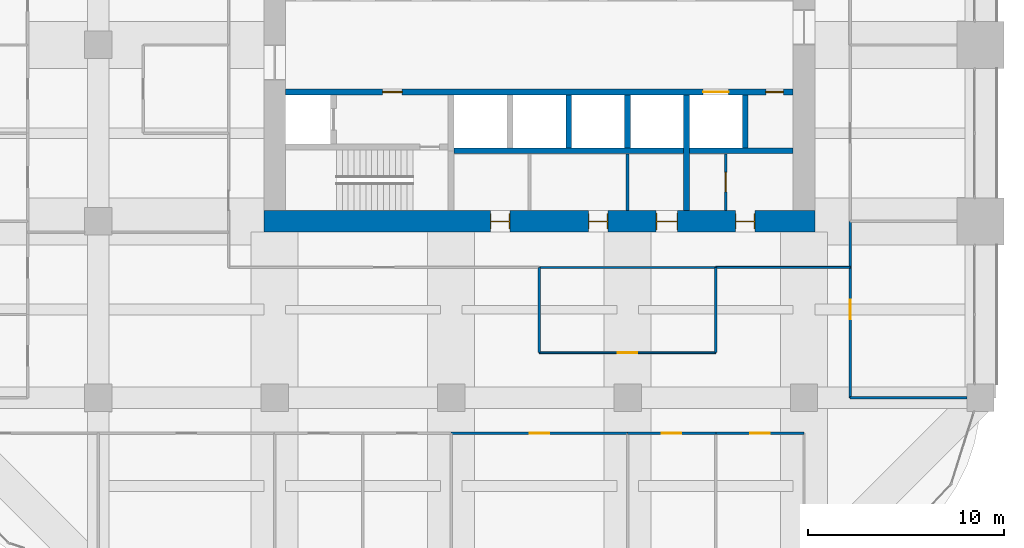
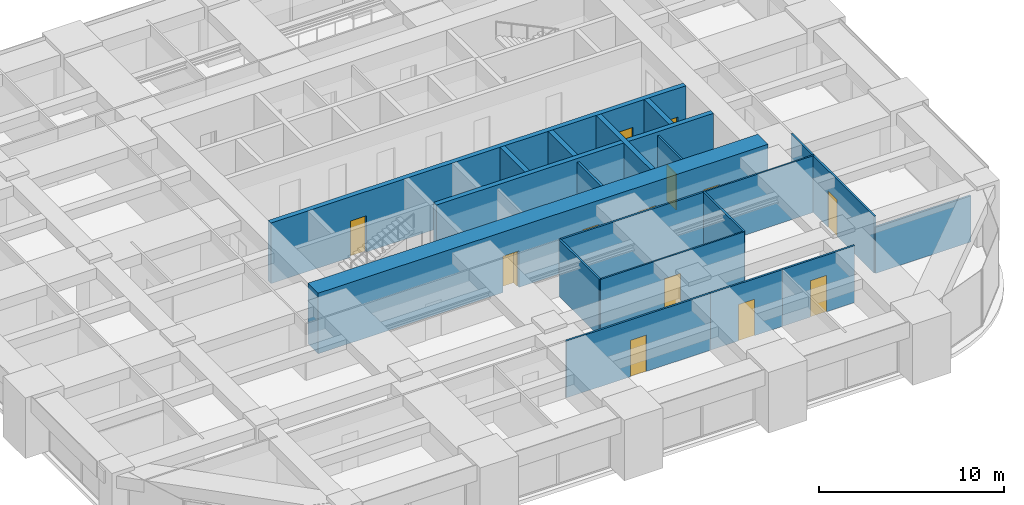
# One storey, part 31 of 35: 19 walls, 13 doors, 13 openings.
"""IFC4 building model written with IfcOpenShell, lengths in metres."""

from ifc_helpers import new_model, si_unit, direction, frame, frame_2d, origin, place, context, subcontext, project, spatial, rectangle, extrude, material, layer, layer_set, type_object, element, fill, save


model = new_model("IFC4")

# Units and contexts
model_context = context("Model", 3, precision=1e-05, world=origin(), true_north=direction((0.0, 1.0)))
body_context = subcontext(model_context, "Body", "Model", "MODEL_VIEW")
ifc_project = project(units=[si_unit("LENGTHUNIT", "METRE"), si_unit("AREAUNIT", "SQUARE_METRE"), si_unit("VOLUMEUNIT", "CUBIC_METRE"), si_unit("PLANEANGLEUNIT", "RADIAN"), si_unit("MASSUNIT", "GRAM", prefix="KILO")], contexts=[model_context])

# Site, building, storey
site_placement = place(None, origin())
site = spatial("IfcSite", under=ifc_project, at=site_placement, CompositionType="ELEMENT")
building_placement = place(site_placement, origin())
building = spatial("IfcBuilding", under=site, at=building_placement, Name="Zorevar Civic Tower", CompositionType="ELEMENT")
storey_placement = place(building_placement, frame((0.0, 0.0, 218.199951171875)))
storey = spatial("IfcBuildingStorey", under=building, at=storey_placement, Name="L53", CompositionType="ELEMENT", Elevation=218.199951171875)

# Wall, openings, doors
ifc_material_1 = material(Name="Concrete C50/60", Category="concrete")
ifc_layer_1 = layer(ifc_material_1, 1.10009765625)
ifc_layer_set_1 = layer_set([ifc_layer_1], Name="Core wall 1100")
wall_type_1 = type_object("IfcWallType", Name="Core wall 1100", PredefinedType="SHEAR", material=ifc_layer_set_1)
wall_1_placement = place(storey_placement, frame((17.449951171875, 18.0, 0.0), z_axis=(0.0, 0.0, 1.0), x_axis=(1.0, 0.0, 0.0)))
wall_1 = element("IfcWall", 1, at=wall_1_placement, inside=storey, type_object=wall_type_1, Name="Core wall S L53", PredefinedType="SHEAR", context=body_context, shape_type="SweptSolid", body=[
    extrude(rectangle(XDim=28.10009765625, YDim=1.10009765625, at=frame_2d((14.050048828125, 0.0))), origin(), (0.0, 0.0, 1.0), 4.0),
])
opening_1_placement = place(wall_1_placement, frame((11.550048828125, 0.0, 0.0)))
opening_1 = element("IfcOpeningElement", 2, at=opening_1_placement, cuts=wall_1, Name="Opening L53.03", PredefinedType="OPENING", context=body_context, shape_type="SweptSolid", body=[
    extrude(rectangle(XDim=1.0, YDim=2.39990234375, at=frame_2d((0.5, 1.199951171875))), frame((0.0, 0.56005859375, 0.0), z_axis=(0.0, -1.0, 0.0), x_axis=(1.0, 0.0, 0.0)), (0.0, 0.0, 1.0), 1.1201171875),
])
opening_2_placement = place(wall_1_placement, frame((16.550048828125, 0.0, 0.0)))
opening_2 = element("IfcOpeningElement", 3, at=opening_2_placement, cuts=wall_1, Name="Opening L53.04", PredefinedType="OPENING", context=body_context, shape_type="SweptSolid", body=[
    extrude(rectangle(XDim=1.0, YDim=2.39990234375, at=frame_2d((0.5, 1.199951171875))), frame((0.0, 0.56005859375, 0.0), z_axis=(0.0, -1.0, 0.0), x_axis=(1.0, 0.0, 0.0)), (0.0, 0.0, 1.0), 1.1201171875),
])
opening_3_placement = place(wall_1_placement, frame((20.0, 0.0, 0.0)))
opening_3 = element("IfcOpeningElement", 4, at=opening_3_placement, cuts=wall_1, Name="Opening L53.05", PredefinedType="OPENING", context=body_context, shape_type="SweptSolid", body=[
    extrude(rectangle(XDim=1.10009765625, YDim=2.39990234375, at=frame_2d((0.550048828125, 1.199951171875))), frame((0.0, 0.56005859375, 0.0), z_axis=(0.0, -1.0, 0.0), x_axis=(1.0, 0.0, 0.0)), (0.0, 0.0, 1.0), 1.1201171875),
])
opening_4_placement = place(wall_1_placement, frame((24.050048828125, 0.0, 0.0)))
opening_4 = element("IfcOpeningElement", 5, at=opening_4_placement, cuts=wall_1, Name="Opening L53.06", PredefinedType="OPENING", context=body_context, shape_type="SweptSolid", body=[
    extrude(rectangle(XDim=1.0, YDim=2.39990234375, at=frame_2d((0.5, 1.199951171875))), frame((0.0, 0.56005859375, 0.0), z_axis=(0.0, -1.0, 0.0), x_axis=(1.0, 0.0, 0.0)), (0.0, 0.0, 1.0), 1.1201171875),
])
ifc_material_2 = material(Name="Timber door set", Category="wood")
door_type_1 = type_object("IfcDoorType", Name="Door D1 1000x2400", OperationType="SINGLE_SWING_LEFT", PredefinedType="DOOR", material=ifc_material_2)
door_1_placement = place(opening_1_placement, origin())
door_1 = element("IfcDoor", 6, at=door_1_placement, inside=storey, type_object=door_type_1, Name="Door L53 02", OperationType="SINGLE_SWING_RIGHT", OverallHeight=2.39990234375, OverallWidth=1.0, PredefinedType="DOOR", context=body_context, shape_type="SweptSolid", body=[
    extrude(rectangle(XDim=1.0, YDim=2.39990234375, at=frame_2d((0.5, 1.199951171875))), frame((0.0, 0.02490234375, 0.0), z_axis=(0.0, -1.0, 0.0), x_axis=(1.0, 0.0, 0.0)), (0.0, 0.0, 1.0), 0.050048828125),
    extrude(rectangle(XDim=0.04, YDim=2.39990234375, at=frame_2d((0.02001953125, 1.199951171875))), frame((0.0, 0.39990234375, 0.0), z_axis=(0.0, -1.0, 0.0), x_axis=(1.0, 0.0, 0.0)), (0.0, 0.0, 1.0), 0.800048828125),
    extrude(rectangle(XDim=0.04, YDim=2.39990234375, at=frame_2d((0.97998046875, 1.199951171875))), frame((0.0, 0.39990234375, 0.0), z_axis=(0.0, -1.0, 0.0), x_axis=(1.0, 0.0, 0.0)), (0.0, 0.0, 1.0), 0.800048828125),
    extrude(rectangle(XDim=1.0, YDim=0.04, at=frame_2d((0.5, 2.3798828125))), frame((0.0, 0.39990234375, 0.0), z_axis=(0.0, -1.0, 0.0), x_axis=(1.0, 0.0, 0.0)), (0.0, 0.0, 1.0), 0.800048828125),
])
fill(opening_1, door_1)
door_2_placement = place(opening_2_placement, origin())
door_2 = element("IfcDoor", 7, at=door_2_placement, inside=storey, type_object=door_type_1, Name="Door L53 03", OperationType="SINGLE_SWING_LEFT", OverallHeight=2.39990234375, OverallWidth=1.0, PredefinedType="DOOR", context=body_context, shape_type="SweptSolid", body=[
    extrude(rectangle(XDim=1.0, YDim=2.39990234375, at=frame_2d((0.5, 1.199951171875))), frame((0.0, 0.02490234375, 0.0), z_axis=(0.0, -1.0, 0.0), x_axis=(1.0, 0.0, 0.0)), (0.0, 0.0, 1.0), 0.050048828125),
    extrude(rectangle(XDim=0.04, YDim=2.39990234375, at=frame_2d((0.02001953125, 1.199951171875))), frame((0.0, 0.39990234375, 0.0), z_axis=(0.0, -1.0, 0.0), x_axis=(1.0, 0.0, 0.0)), (0.0, 0.0, 1.0), 0.800048828125),
    extrude(rectangle(XDim=0.04, YDim=2.39990234375, at=frame_2d((0.97998046875, 1.199951171875))), frame((0.0, 0.39990234375, 0.0), z_axis=(0.0, -1.0, 0.0), x_axis=(1.0, 0.0, 0.0)), (0.0, 0.0, 1.0), 0.800048828125),
    extrude(rectangle(XDim=1.0, YDim=0.04, at=frame_2d((0.5, 2.3798828125))), frame((0.0, 0.39990234375, 0.0), z_axis=(0.0, -1.0, 0.0), x_axis=(1.0, 0.0, 0.0)), (0.0, 0.0, 1.0), 0.800048828125),
])
fill(opening_2, door_2)
door_3_placement = place(opening_4_placement, origin())
door_3 = element("IfcDoor", 8, at=door_3_placement, inside=storey, type_object=door_type_1, Name="Door L53 05", OperationType="SINGLE_SWING_LEFT", OverallHeight=2.39990234375, OverallWidth=1.0, PredefinedType="DOOR", context=body_context, shape_type="SweptSolid", body=[
    extrude(rectangle(XDim=1.0, YDim=2.39990234375, at=frame_2d((0.5, 1.199951171875))), frame((0.0, 0.02490234375, 0.0), z_axis=(0.0, -1.0, 0.0), x_axis=(1.0, 0.0, 0.0)), (0.0, 0.0, 1.0), 0.050048828125),
    extrude(rectangle(XDim=0.04, YDim=2.39990234375, at=frame_2d((0.02001953125, 1.199951171875))), frame((0.0, 0.39990234375, 0.0), z_axis=(0.0, -1.0, 0.0), x_axis=(1.0, 0.0, 0.0)), (0.0, 0.0, 1.0), 0.800048828125),
    extrude(rectangle(XDim=0.04, YDim=2.39990234375, at=frame_2d((0.97998046875, 1.199951171875))), frame((0.0, 0.39990234375, 0.0), z_axis=(0.0, -1.0, 0.0), x_axis=(1.0, 0.0, 0.0)), (0.0, 0.0, 1.0), 0.800048828125),
    extrude(rectangle(XDim=1.0, YDim=0.04, at=frame_2d((0.5, 2.3798828125))), frame((0.0, 0.39990234375, 0.0), z_axis=(0.0, -1.0, 0.0), x_axis=(1.0, 0.0, 0.0)), (0.0, 0.0, 1.0), 0.800048828125),
])
fill(opening_4, door_3)
ifc_material_3 = material(Name="Timber door set", Category="wood")
door_type_2 = type_object("IfcDoorType", Name="Door D5 1100x2400", OperationType="SINGLE_SWING_LEFT", PredefinedType="DOOR", material=ifc_material_3)
door_4_placement = place(opening_3_placement, origin())
door_4 = element("IfcDoor", 9, at=door_4_placement, inside=storey, type_object=door_type_2, Name="Door L53 04", OperationType="SINGLE_SWING_LEFT", OverallHeight=2.39990234375, OverallWidth=1.10009765625, PredefinedType="DOOR", context=body_context, shape_type="SweptSolid", body=[
    extrude(rectangle(XDim=1.10009765625, YDim=2.39990234375, at=frame_2d((0.550048828125, 1.199951171875))), frame((0.0, 0.02490234375, 0.0), z_axis=(0.0, -1.0, 0.0), x_axis=(1.0, 0.0, 0.0)), (0.0, 0.0, 1.0), 0.050048828125),
    extrude(rectangle(XDim=0.04, YDim=2.39990234375, at=frame_2d((0.02001953125, 1.199951171875))), frame((0.0, 0.43994140625, 0.0), z_axis=(0.0, -1.0, 0.0), x_axis=(1.0, 0.0, 0.0)), (0.0, 0.0, 1.0), 0.880126953125),
    extrude(rectangle(XDim=0.04, YDim=2.39990234375, at=frame_2d((1.080078125, 1.199951171875))), frame((0.0, 0.43994140625, 0.0), z_axis=(0.0, -1.0, 0.0), x_axis=(1.0, 0.0, 0.0)), (0.0, 0.0, 1.0), 0.880126953125),
    extrude(rectangle(XDim=1.10009765625, YDim=0.04, at=frame_2d((0.550048828125, 2.3798828125))), frame((0.0, 0.43994140625, 0.0), z_axis=(0.0, -1.0, 0.0), x_axis=(1.0, 0.0, 0.0)), (0.0, 0.0, 1.0), 0.880126953125),
])
fill(opening_3, door_4)

# Wall, opening, door
ifc_material_4 = material(Name="Laminated glass in black aluminium frame", Category="aluminium")
ifc_layer_2 = layer(ifc_material_4, 0.10009765625)
ifc_layer_set_2 = layer_set([ifc_layer_2], Name="Glazed partition 100")
wall_type_2 = type_object("IfcWallType", Name="Glazed partition 100", PredefinedType="PARTITIONING", material=ifc_layer_set_2)
wall_2_placement = place(storey_placement, frame((31.5, 11.300048828125, 0.0), z_axis=(0.0, 0.0, 1.0), x_axis=(1.0, 0.0, 0.0)))
wall_2 = element("IfcWall", 10, at=wall_2_placement, inside=storey, type_object=wall_type_2, Name="Glazed partition 100 L53", PredefinedType="PARTITIONING", context=body_context, shape_type="SweptSolid", body=[
    extrude(rectangle(XDim=9.0, YDim=0.10009765625, at=frame_2d((4.5, 0.0))), origin(), (0.0, 0.0, 1.0), 3.75),
])
opening_5_placement = place(wall_2_placement, frame((4.0, 0.0, 0.0)))
opening_5 = element("IfcOpeningElement", 11, at=opening_5_placement, cuts=wall_2, Name="Opening L53.24", PredefinedType="OPENING", context=body_context, shape_type="SweptSolid", body=[
    extrude(rectangle(XDim=1.0, YDim=2.39990234375, at=frame_2d((0.5, 1.199951171875))), frame((0.0, 0.06005859375, 0.0), z_axis=(0.0, -1.0, 0.0), x_axis=(1.0, 0.0, 0.0)), (0.0, 0.0, 1.0), 0.1201171875),
])
ifc_material_5 = material(Name="Timber door set", Category="wood")
door_type_3 = type_object("IfcDoorType", Name="Glazed door GD1 1000x2400", OperationType="SINGLE_SWING_LEFT", PredefinedType="DOOR", material=ifc_material_5)
door_5_placement = place(opening_5_placement, origin())
door_5 = element("IfcDoor", 12, at=door_5_placement, inside=storey, type_object=door_type_3, Name="Door L53 D1", OperationType="SINGLE_SWING_RIGHT", OverallHeight=2.39990234375, OverallWidth=1.0, PredefinedType="DOOR", context=body_context, shape_type="SweptSolid", body=[
    extrude(rectangle(XDim=1.0, YDim=2.39990234375, at=frame_2d((0.5, 1.199951171875))), frame((0.0, 0.02001953125, 0.0), z_axis=(0.0, -1.0, 0.0), x_axis=(1.0, 0.0, 0.0)), (0.0, 0.0, 1.0), 0.0400390625),
])
fill(opening_5, door_5)

# Wall
wall_3_placement = place(storey_placement, frame((40.5, 15.64990234375, 0.0), z_axis=(0.0, 0.0, 1.0), x_axis=(1.0, 0.0, 0.0)))
element("IfcWall", 13, at=wall_3_placement, inside=storey, type_object=wall_type_2, Name="Glazed partition 100 L53", PredefinedType="PARTITIONING", context=body_context, shape_type="SweptSolid", body=[
    extrude(rectangle(XDim=6.85009765625, YDim=0.10009765625, at=frame_2d((3.425048828125, 0.0))), origin(), (0.0, 0.0, 1.0), 3.75),
])

# Wall, openings, doors
ifc_material_6 = material(Name="Concrete C40/50", Category="concrete")
ifc_layer_3 = layer(ifc_material_6, 0.300048828125)
ifc_layer_set_3 = layer_set([ifc_layer_3], Name="Inner core wall 300")
wall_type_3 = type_object("IfcWallType", Name="Inner core wall 300", PredefinedType="SHEAR", material=ifc_layer_set_3)
wall_4_placement = place(storey_placement, frame((18.550048828125, 24.60009765625, 0.0), z_axis=(0.0, 0.0, 1.0), x_axis=(1.0, 0.0, 0.0)))
wall_4 = element("IfcWall", 14, at=wall_4_placement, inside=storey, type_object=wall_type_3, Name="Inner core wall S03 L53", PredefinedType="SHEAR", context=body_context, shape_type="SweptSolid", body=[
    extrude(rectangle(XDim=25.89990234375, YDim=0.300048828125, at=frame_2d((12.949951171875, 0.0))), origin(), (0.0, 0.0, 1.0), 4.0),
])
opening_6_placement = place(wall_4_placement, frame((4.949951171875, 0.0, 0.0)))
opening_6 = element("IfcOpeningElement", 15, at=opening_6_placement, cuts=wall_4, Name="Opening L53.13", PredefinedType="OPENING", context=body_context, shape_type="SweptSolid", body=[
    extrude(rectangle(XDim=1.0, YDim=2.39990234375, at=frame_2d((0.5, 1.199951171875))), frame((0.0, 0.159912109375, 0.0), z_axis=(0.0, -1.0, 0.0), x_axis=(1.0, 0.0, 0.0)), (0.0, 0.0, 1.0), 0.320068359375),
])
opening_7_placement = place(wall_4_placement, frame((24.5, 0.0, 0.0)))
opening_7 = element("IfcOpeningElement", 16, at=opening_7_placement, cuts=wall_4, Name="Opening L53.15", PredefinedType="OPENING", context=body_context, shape_type="SweptSolid", body=[
    extrude(rectangle(XDim=0.89990234375, YDim=2.10009765625, at=frame_2d((0.449951171875, 1.050048828125))), frame((0.0, 0.159912109375, 0.0), z_axis=(0.0, -1.0, 0.0), x_axis=(1.0, 0.0, 0.0)), (0.0, 0.0, 1.0), 0.320068359375),
])
opening_8_placement = place(wall_4_placement, frame((21.300048828125, 0.0, 0.0)))
opening_8 = element("IfcOpeningElement", 17, at=opening_8_placement, cuts=wall_4, Name="Opening L53.SL1", PredefinedType="OPENING", context=body_context, shape_type="SweptSolid", body=[
    extrude(rectangle(XDim=1.300048828125, YDim=2.39990234375, at=frame_2d((0.64990234375, 1.199951171875))), frame((0.0, 0.159912109375, 0.0), z_axis=(0.0, -1.0, 0.0), x_axis=(1.0, 0.0, 0.0)), (0.0, 0.0, 1.0), 0.320068359375),
])
ifc_material_7 = material(Name="Steel door set", Category="steel")
door_type_4 = type_object("IfcDoorType", Name="Fire door FD1 1000x2400", OperationType="SINGLE_SWING_LEFT", PredefinedType="DOOR", material=ifc_material_7)
door_6_placement = place(opening_6_placement, origin())
door_6 = element("IfcDoor", 18, at=door_6_placement, inside=storey, type_object=door_type_4, Name="Door L53 12", OperationType="SINGLE_SWING_RIGHT", OverallHeight=2.39990234375, OverallWidth=1.0, PredefinedType="DOOR", context=body_context, shape_type="SweptSolid", body=[
    extrude(rectangle(XDim=1.0, YDim=2.39990234375, at=frame_2d((0.5, 1.199951171875))), frame((0.0, 0.030029296875, 0.0), z_axis=(0.0, -1.0, 0.0), x_axis=(1.0, 0.0, 0.0)), (0.0, 0.0, 1.0), 0.06005859375),
])
fill(opening_6, door_6)
ifc_material_8 = material(Name="Steel door set", Category="steel")
door_type_5 = type_object("IfcDoorType", Name="Landing door LD2 1300x2400", OperationType="DOUBLE_DOOR_SLIDING", PredefinedType="DOOR", material=ifc_material_8)
door_7_placement = place(opening_8_placement, origin())
door_7 = element("IfcDoor", 19, at=door_7_placement, inside=storey, type_object=door_type_5, Name="Landing door SL1 L53", OperationType="DOUBLE_DOOR_SLIDING", OverallHeight=2.39990234375, OverallWidth=1.300048828125, PredefinedType="DOOR", context=body_context, shape_type="SweptSolid", body=[
    extrude(rectangle(XDim=1.300048828125, YDim=2.39990234375, at=frame_2d((0.64990234375, 1.199951171875))), frame((0.0, 0.02001953125, 0.0), z_axis=(0.0, -1.0, 0.0), x_axis=(1.0, 0.0, 0.0)), (0.0, 0.0, 1.0), 0.0400390625),
])
fill(opening_8, door_7)
ifc_material_9 = material(Name="Steel door set", Category="steel")
door_type_6 = type_object("IfcDoorType", Name="Riser door RD1 900x2100", OperationType="SINGLE_SWING_LEFT", PredefinedType="DOOR", material=ifc_material_9)
door_8_placement = place(opening_7_placement, origin())
door_8 = element("IfcDoor", 20, at=door_8_placement, inside=storey, type_object=door_type_6, Name="Door L53 14", OperationType="SINGLE_SWING_RIGHT", OverallHeight=2.10009765625, OverallWidth=0.89990234375, PredefinedType="DOOR", context=body_context, shape_type="SweptSolid", body=[
    extrude(rectangle(XDim=0.89990234375, YDim=2.10009765625, at=frame_2d((0.449951171875, 1.050048828125))), frame((0.0, 0.030029296875, 0.0), z_axis=(0.0, -1.0, 0.0), x_axis=(1.0, 0.0, 0.0)), (0.0, 0.0, 1.0), 0.06005859375),
])
fill(opening_7, door_8)

# Walls
wall_5_placement = place(storey_placement, frame((27.14990234375, 21.60009765625, 0.0), z_axis=(0.0, 0.0, 1.0), x_axis=(1.0, 0.0, 0.0)))
element("IfcWall", 21, at=wall_5_placement, inside=storey, type_object=wall_type_3, Name="Inner core wall S04 L53", PredefinedType="SHEAR", context=body_context, shape_type="SweptSolid", body=[
    extrude(rectangle(XDim=17.300048828125, YDim=0.300048828125, at=frame_2d((8.64990234375, 0.0))), origin(), (0.0, 0.0, 1.0), 4.0),
])
for number, where, z_axis, x_axis, name in (
    (22, (33.0, 21.75, 0.0), (0.0, 0.0, 1.0), (0.0, 1.0, 0.0), "Inner core wall S06 L53"),
    (23, (36.0, 21.75, 0.0), (0.0, 0.0, 1.0), (0.0, 1.0, 0.0), "Inner core wall S07 L53"),
):
    element("IfcWall", number, at=place(storey_placement, frame(where, z_axis=z_axis, x_axis=x_axis)), inside=storey, type_object=wall_type_3, Name=name, PredefinedType="SHEAR", context=body_context, shape_type="SweptSolid", body=[
        extrude(rectangle(XDim=2.699951171875, YDim=0.300048828125, at=frame_2d((1.35009765625, 0.0))), origin(), (0.0, 0.0, 1.0), 4.0),
    ])
wall_6_placement = place(storey_placement, frame((39.0, 18.550048828125, 0.0), z_axis=(0.0, 0.0, 1.0), x_axis=(0.0, 1.0, 0.0)))
element("IfcWall", 24, at=wall_6_placement, inside=storey, type_object=wall_type_3, Name="Inner core wall S08 L53", PredefinedType="SHEAR", context=body_context, shape_type="SweptSolid", body=[
    extrude(rectangle(XDim=5.89990234375, YDim=0.300048828125, at=frame_2d((2.949951171875, 0.0))), origin(), (0.0, 0.0, 1.0), 4.0),
])
wall_7_placement = place(storey_placement, frame((42.0, 21.75, 0.0), z_axis=(0.0, 0.0, 1.0), x_axis=(0.0, 1.0, 0.0)))
element("IfcWall", 25, at=wall_7_placement, inside=storey, type_object=wall_type_3, Name="Inner core wall S09 L53", PredefinedType="SHEAR", context=body_context, shape_type="SweptSolid", body=[
    extrude(rectangle(XDim=2.699951171875, YDim=0.300048828125, at=frame_2d((1.35009765625, 0.0))), origin(), (0.0, 0.0, 1.0), 4.0),
])

# Wall, opening, door
ifc_material_10 = material(Name="Gypsum board on steel studs", Category="steel")
ifc_layer_4 = layer(ifc_material_10, 0.1201171875)
ifc_layer_set_4 = layer_set([ifc_layer_4], Name="Partition 120")
wall_type_4 = type_object("IfcWallType", Name="Partition 120", PredefinedType="PARTITIONING", material=ifc_layer_set_4)
wall_8_placement = place(storey_placement, frame((27.0, 7.199951171875, 0.0), z_axis=(0.0, 0.0, 1.0), x_axis=(1.0, 0.0, 0.0)))
wall_8 = element("IfcWall", 26, at=wall_8_placement, inside=storey, type_object=wall_type_4, Name="Partition 120 L53", PredefinedType="PARTITIONING", context=body_context, shape_type="SweptSolid", body=[
    extrude(rectangle(XDim=9.0, YDim=0.1201171875, at=frame_2d((4.5, 0.0))), origin(), (0.0, 0.0, 1.0), 3.75),
])
opening_9_placement = place(wall_8_placement, frame((4.0, 0.0, 0.0)))
opening_9 = element("IfcOpeningElement", 27, at=opening_9_placement, cuts=wall_8, Name="Opening L53.20", PredefinedType="OPENING", context=body_context, shape_type="SweptSolid", body=[
    extrude(rectangle(XDim=1.0, YDim=2.39990234375, at=frame_2d((0.5, 1.199951171875))), frame((0.0, 0.070068359375, 0.0), z_axis=(0.0, -1.0, 0.0), x_axis=(1.0, 0.0, 0.0)), (0.0, 0.0, 1.0), 0.14013671875),
])
door_9_placement = place(opening_9_placement, origin())
door_9 = element("IfcDoor", 28, at=door_9_placement, inside=storey, type_object=door_type_1, Name="Door L53 D1", OperationType="SINGLE_SWING_LEFT", OverallHeight=2.39990234375, OverallWidth=1.0, PredefinedType="DOOR", context=body_context, shape_type="SweptSolid", body=[
    extrude(rectangle(XDim=1.0, YDim=2.39990234375, at=frame_2d((0.5, 1.199951171875))), frame((0.0, 0.02490234375, 0.0), z_axis=(0.0, -1.0, 0.0), x_axis=(1.0, 0.0, 0.0)), (0.0, 0.0, 1.0), 0.050048828125),
])
fill(opening_9, door_9)

wall_9_placement = place(storey_placement, frame((36.0, 7.199951171875, 0.0), z_axis=(0.0, 0.0, 1.0), x_axis=(1.0, 0.0, 0.0)))
wall_9 = element("IfcWall", 29, at=wall_9_placement, inside=storey, type_object=wall_type_4, Name="Partition 120 L53", PredefinedType="PARTITIONING", context=body_context, shape_type="SweptSolid", body=[
    extrude(rectangle(XDim=4.5, YDim=0.1201171875, at=frame_2d((2.25, 0.0))), origin(), (0.0, 0.0, 1.0), 3.75),
])
opening_10_placement = place(wall_9_placement, frame((1.75, 0.0, 0.0)))
opening_10 = element("IfcOpeningElement", 30, at=opening_10_placement, cuts=wall_9, Name="Opening L53.21", PredefinedType="OPENING", context=body_context, shape_type="SweptSolid", body=[
    extrude(rectangle(XDim=1.0, YDim=2.39990234375, at=frame_2d((0.5, 1.199951171875))), frame((0.0, 0.070068359375, 0.0), z_axis=(0.0, -1.0, 0.0), x_axis=(1.0, 0.0, 0.0)), (0.0, 0.0, 1.0), 0.14013671875),
])
door_10_placement = place(opening_10_placement, origin())
door_10 = element("IfcDoor", 31, at=door_10_placement, inside=storey, type_object=door_type_1, Name="Door L53 D1", OperationType="SINGLE_SWING_LEFT", OverallHeight=2.39990234375, OverallWidth=1.0, PredefinedType="DOOR", context=body_context, shape_type="SweptSolid", body=[
    extrude(rectangle(XDim=1.0, YDim=2.39990234375, at=frame_2d((0.5, 1.199951171875))), frame((0.0, 0.02490234375, 0.0), z_axis=(0.0, -1.0, 0.0), x_axis=(1.0, 0.0, 0.0)), (0.0, 0.0, 1.0), 0.050048828125),
])
fill(opening_10, door_10)

wall_10_placement = place(storey_placement, frame((40.5, 7.199951171875, 0.0), z_axis=(0.0, 0.0, 1.0), x_axis=(1.0, 0.0, 0.0)))
wall_10 = element("IfcWall", 32, at=wall_10_placement, inside=storey, type_object=wall_type_4, Name="Partition 120 L53", PredefinedType="PARTITIONING", context=body_context, shape_type="SweptSolid", body=[
    extrude(rectangle(XDim=4.5, YDim=0.1201171875, at=frame_2d((2.25, 0.0))), origin(), (0.0, 0.0, 1.0), 3.75),
])
opening_11_placement = place(wall_10_placement, frame((1.75, 0.0, 0.0)))
opening_11 = element("IfcOpeningElement", 33, at=opening_11_placement, cuts=wall_10, Name="Opening L53.22", PredefinedType="OPENING", context=body_context, shape_type="SweptSolid", body=[
    extrude(rectangle(XDim=1.0, YDim=2.39990234375, at=frame_2d((0.5, 1.199951171875))), frame((0.0, 0.070068359375, 0.0), z_axis=(0.0, -1.0, 0.0), x_axis=(1.0, 0.0, 0.0)), (0.0, 0.0, 1.0), 0.14013671875),
])
door_11_placement = place(opening_11_placement, origin())
door_11 = element("IfcDoor", 34, at=door_11_placement, inside=storey, type_object=door_type_1, Name="Door L53 D1", OperationType="SINGLE_SWING_LEFT", OverallHeight=2.39990234375, OverallWidth=1.0, PredefinedType="DOOR", context=body_context, shape_type="SweptSolid", body=[
    extrude(rectangle(XDim=1.0, YDim=2.39990234375, at=frame_2d((0.5, 1.199951171875))), frame((0.0, 0.02490234375, 0.0), z_axis=(0.0, -1.0, 0.0), x_axis=(1.0, 0.0, 0.0)), (0.0, 0.0, 1.0), 0.050048828125),
])
fill(opening_11, door_11)

# Walls
wall_11_placement = place(storey_placement, frame((47.35009765625, 9.0, 0.0), z_axis=(0.0, 0.0, 1.0), x_axis=(1.0, 0.0, 0.0)))
element("IfcWall", 35, at=wall_11_placement, inside=storey, type_object=wall_type_4, Name="Partition 120 L53", PredefinedType="PARTITIONING", context=body_context, shape_type="SweptSolid", body=[
    extrude(rectangle(XDim=5.949951171875, YDim=0.1201171875, at=frame_2d((2.97509765625, 0.0))), origin(), (0.0, 0.0, 1.0), 3.050048828125),
])
wall_12_placement = place(storey_placement, frame((31.5, 15.64990234375, 0.0), z_axis=(0.0, 0.0, 1.0), x_axis=(1.0, 0.0, 0.0)))
element("IfcWall", 36, at=wall_12_placement, inside=storey, type_object=wall_type_4, Name="Partition 120 L53", PredefinedType="PARTITIONING", context=body_context, shape_type="SweptSolid", body=[
    extrude(rectangle(XDim=9.0, YDim=0.1201171875, at=frame_2d((4.5, 0.0))), origin(), (0.0, 0.0, 1.0), 3.75),
])
for number, where, z_axis, x_axis, name in (
    (37, (31.5, 11.300048828125, 0.0), (0.0, 0.0, 1.0), (0.0, 1.0, 0.0), "Partition 120 L53"),
    (38, (40.5, 11.300048828125, 0.0), (0.0, 0.0, 1.0), (0.0, 1.0, 0.0), "Partition 120 L53"),
):
    element("IfcWall", number, at=place(storey_placement, frame(where, z_axis=z_axis, x_axis=x_axis)), inside=storey, type_object=wall_type_4, Name=name, PredefinedType="PARTITIONING", context=body_context, shape_type="SweptSolid", body=[
        extrude(rectangle(XDim=4.349853515625, YDim=0.1201171875, at=frame_2d((2.1748046875, 0.0))), origin(), (0.0, 0.0, 1.0), 3.75),
    ])

# Wall, opening, door
wall_13_placement = place(storey_placement, frame((47.35009765625, 9.0, 0.0), z_axis=(0.0, 0.0, 1.0), x_axis=(0.0, 1.0, 0.0)))
wall_13 = element("IfcWall", 39, at=wall_13_placement, inside=storey, type_object=wall_type_4, Name="Partition 120 L53", PredefinedType="PARTITIONING", context=body_context, shape_type="SweptSolid", body=[
    extrude(rectangle(XDim=9.0, YDim=0.1201171875, at=frame_2d((4.5, 0.0))), origin(), (0.0, 0.0, 1.0), 3.75),
])
opening_12_placement = place(wall_13_placement, frame((4.0, 0.0, 0.0)))
opening_12 = element("IfcOpeningElement", 40, at=opening_12_placement, cuts=wall_13, Name="Opening L53.40", PredefinedType="OPENING", context=body_context, shape_type="SweptSolid", body=[
    extrude(rectangle(XDim=1.0, YDim=2.39990234375, at=frame_2d((0.5, 1.199951171875))), frame((0.0, 0.070068359375, 0.0), z_axis=(0.0, -1.0, 0.0), x_axis=(1.0, 0.0, 0.0)), (0.0, 0.0, 1.0), 0.14013671875),
])
door_12_placement = place(opening_12_placement, origin())
door_12 = element("IfcDoor", 41, at=door_12_placement, inside=storey, type_object=door_type_1, Name="Door L53 D1", OperationType="SINGLE_SWING_LEFT", OverallHeight=2.39990234375, OverallWidth=1.0, PredefinedType="DOOR", context=body_context, shape_type="SweptSolid", body=[
    extrude(rectangle(XDim=1.0, YDim=2.39990234375, at=frame_2d((0.5, 1.199951171875))), frame((0.0, 0.02490234375, 0.0), z_axis=(0.0, -1.0, 0.0), x_axis=(1.0, 0.0, 0.0)), (0.0, 0.0, 1.0), 0.050048828125),
])
fill(opening_12, door_12)

wall_14_placement = place(storey_placement, frame((41.0, 18.550048828125, 0.0), z_axis=(0.0, 0.0, 1.0), x_axis=(0.0, 1.0, 0.0)))
wall_14 = element("IfcWall", 42, at=wall_14_placement, inside=storey, type_object=wall_type_4, Name="Partition L53", PredefinedType="PARTITIONING", context=body_context, shape_type="SweptSolid", body=[
    extrude(rectangle(XDim=2.89990234375, YDim=0.1201171875, at=frame_2d((1.449951171875, 0.0))), origin(), (0.0, 0.0, 1.0), 3.75),
])
opening_13_placement = place(wall_14_placement, frame((0.949951171875, 0.0, 0.0)))
opening_13 = element("IfcOpeningElement", 43, at=opening_13_placement, cuts=wall_14, Name="Opening L53.43", PredefinedType="OPENING", context=body_context, shape_type="SweptSolid", body=[
    extrude(rectangle(XDim=1.0, YDim=2.39990234375, at=frame_2d((0.5, 1.199951171875))), frame((0.0, 0.070068359375, 0.0), z_axis=(0.0, -1.0, 0.0), x_axis=(1.0, 0.0, 0.0)), (0.0, 0.0, 1.0), 0.14013671875),
])
door_13_placement = place(opening_13_placement, origin())
door_13 = element("IfcDoor", 44, at=door_13_placement, inside=storey, type_object=door_type_4, Name="Door L53 ES", OperationType="SINGLE_SWING_RIGHT", OverallHeight=2.39990234375, OverallWidth=1.0, PredefinedType="DOOR", context=body_context, shape_type="SweptSolid", body=[
    extrude(rectangle(XDim=1.0, YDim=2.39990234375, at=frame_2d((0.5, 1.199951171875))), frame((0.0, 0.030029296875, 0.0), z_axis=(0.0, -1.0, 0.0), x_axis=(1.0, 0.0, 0.0)), (0.0, 0.0, 1.0), 0.06005859375),
])
fill(opening_13, door_13)

# Wall
ifc_material_11 = material(Name="Gypsum board on steel studs, moisture resistant", Category="steel")
ifc_layer_5 = layer(ifc_material_11, 0.14990234375)
ifc_layer_set_5 = layer_set([ifc_layer_5], Name="WC partition 150")
wall_type_5 = type_object("IfcWallType", Name="WC partition 150", PredefinedType="PARTITIONING", material=ifc_layer_set_5)
wall_15_placement = place(storey_placement, frame((36.0, 18.550048828125, 0.0), z_axis=(0.0, 0.0, 1.0), x_axis=(0.0, 1.0, 0.0)))
element("IfcWall", 45, at=wall_15_placement, inside=storey, type_object=wall_type_5, Name="WC partition L53", PredefinedType="PARTITIONING", context=body_context, shape_type="SweptSolid", body=[
    extrude(rectangle(XDim=2.89990234375, YDim=0.14990234375, at=frame_2d((1.449951171875, 0.0))), origin(), (0.0, 0.0, 1.0), 3.75),
])

save(model, "model.ifc")
